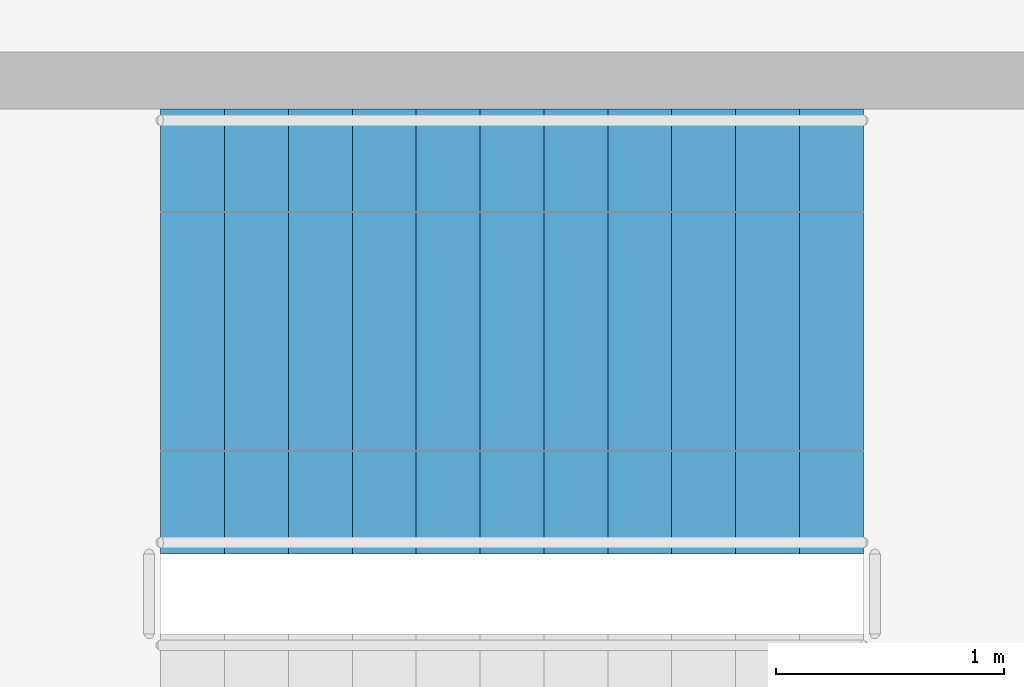
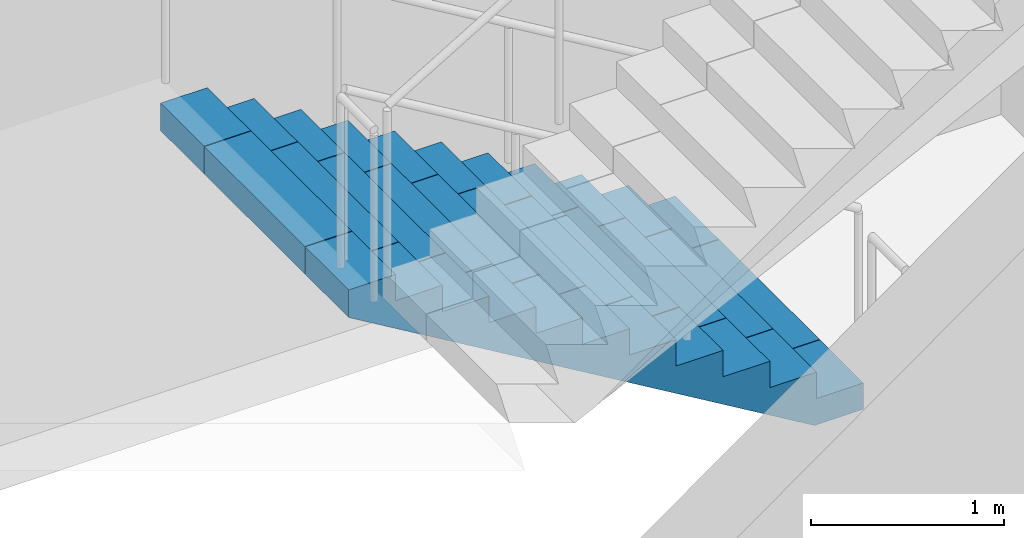
# One storey, part 13 of 15: 1 stair flight, 1 element without a shape of its own.
"""IFC4 building model written with IfcOpenShell, lengths in metres."""

from ifc_helpers import new_model, si_unit, direction, frame, origin, place, context, subcontext, project, spatial, polyline, outline, extrude, material, type_object, element, aggregate, save


model = new_model("IFC4")

# Units and contexts
model_context = context("Model", 3, precision=1e-05, world=origin(), true_north=direction((0.0, 1.0)))
body_context = subcontext(model_context, "Body", "Model", "MODEL_VIEW")
ifc_project = project(units=[si_unit("LENGTHUNIT", "METRE"), si_unit("AREAUNIT", "SQUARE_METRE"), si_unit("VOLUMEUNIT", "CUBIC_METRE"), si_unit("PLANEANGLEUNIT", "RADIAN"), si_unit("MASSUNIT", "GRAM", prefix="KILO")], contexts=[model_context])

# Site, building, storey
site_placement = place(None, origin())
site = spatial("IfcSite", under=ifc_project, at=site_placement, CompositionType="ELEMENT")
building_placement = place(site_placement, origin())
building = spatial("IfcBuilding", under=site, at=building_placement, Name="Corbelhall Arena Tower", CompositionType="ELEMENT")
storey_placement = place(building_placement, frame((0.0, 0.0, 192.0)))
storey = spatial("IfcBuildingStorey", under=building, at=storey_placement, Name="L39", CompositionType="ELEMENT", Elevation=192.0)

# Stair, stair flight
ifc_material = material(Name="Concrete C40/50", Category="concrete")
stair_type = type_object("IfcStairType", Name="IN-ST-TOWER", PredefinedType="HALF_TURN_STAIR", material=ifc_material)
stair_placement = place(storey_placement, origin())
stair = element("IfcStair", 1, at=stair_placement, inside=storey, type_object=stair_type, Name="L39 Exit stair ST3", PredefinedType="HALF_TURN_STAIR")
stair_flight_type = type_object("IfcStairFlightType", Name="IN-SFL-RC", PredefinedType="STRAIGHT", material=ifc_material)
stair_flight_placement = place(storey_placement, frame((11.425048828125, 15.699951171875, 0.0), z_axis=(0.0, 0.0, 1.0), x_axis=(-1.0, 0.0, 0.0)))
stair_flight = element("IfcStairFlight", 2, at=stair_flight_placement, type_object=stair_flight_type, Name="ST3 flight 1", NumberOfRisers=12, NumberOfTreads=11, PredefinedType="STRAIGHT", RiserHeight=0.166666667, TreadLength=0.28, context=body_context, shape_type="SweptSolid", body=[
    extrude(outline(polyline([(0.0, 0.0), (0.0, 0.166748046875), (0.280029296875, 0.166748046875), (0.280029296875, 0.333251953125), (0.56005859375, 0.333251953125), (0.56005859375, 0.5), (0.840087890625, 0.5), (0.840087890625, 0.666748046875), (1.1201171875, 0.666748046875), (1.1201171875, 0.833251953125), (1.39990234375, 0.833251953125), (1.39990234375, 1.0), (1.679931640625, 1.0), (1.679931640625, 1.166748046875), (1.9599609375, 1.166748046875), (1.9599609375, 1.333251953125), (2.239990234375, 1.333251953125), (2.239990234375, 1.5), (2.52001953125, 1.5), (2.52001953125, 1.666748046875), (2.800048828125, 1.666748046875), (2.800048828125, 1.833251953125), (3.080078125, 1.833251953125), (3.080078125, 2.0), (3.080078125, 1.658935546875), (0.29296875, 0.0), (0.0, 0.0)])), frame((0.0, 0.97509765625, 0.0), z_axis=(0.0, -1.0, 0.0), x_axis=(1.0, 0.0, 0.0)), (0.0, 0.0, 1.0), 0.449951171875),
    extrude(outline(polyline([(0.0, 0.0), (0.0, 0.166748046875), (0.280029296875, 0.166748046875), (0.280029296875, 0.333251953125), (0.56005859375, 0.333251953125), (0.56005859375, 0.5), (0.840087890625, 0.5), (0.840087890625, 0.666748046875), (1.1201171875, 0.666748046875), (1.1201171875, 0.833251953125), (1.39990234375, 0.833251953125), (1.39990234375, 1.0), (1.679931640625, 1.0), (1.679931640625, 1.166748046875), (1.9599609375, 1.166748046875), (1.9599609375, 1.333251953125), (2.239990234375, 1.333251953125), (2.239990234375, 1.5), (2.52001953125, 1.5), (2.52001953125, 1.666748046875), (2.800048828125, 1.666748046875), (2.800048828125, 1.833251953125), (3.080078125, 1.833251953125), (3.080078125, 2.0), (3.080078125, 1.658935546875), (0.29296875, 0.0), (0.0, 0.0)])), frame((0.0, 0.52099609375, 0.0), z_axis=(0.0, -1.0, 0.0), x_axis=(1.0, 0.0, 0.0)), (0.0, 0.0, 1.0), 1.0419921875),
    extrude(outline(polyline([(0.0, 0.0), (0.0, 0.166748046875), (0.280029296875, 0.166748046875), (0.280029296875, 0.333251953125), (0.56005859375, 0.333251953125), (0.56005859375, 0.5), (0.840087890625, 0.5), (0.840087890625, 0.666748046875), (1.1201171875, 0.666748046875), (1.1201171875, 0.833251953125), (1.39990234375, 0.833251953125), (1.39990234375, 1.0), (1.679931640625, 1.0), (1.679931640625, 1.166748046875), (1.9599609375, 1.166748046875), (1.9599609375, 1.333251953125), (2.239990234375, 1.333251953125), (2.239990234375, 1.5), (2.52001953125, 1.5), (2.52001953125, 1.666748046875), (2.800048828125, 1.666748046875), (2.800048828125, 1.833251953125), (3.080078125, 1.833251953125), (3.080078125, 2.0), (3.080078125, 1.658935546875), (0.29296875, 0.0), (0.0, 0.0)])), frame((0.0, -0.52490234375, 0.0), z_axis=(0.0, -1.0, 0.0), x_axis=(1.0, 0.0, 0.0)), (0.0, 0.0, 1.0), 0.449951171875),
])
aggregate(stair, [stair_flight])

save(model, "model.ifc")
